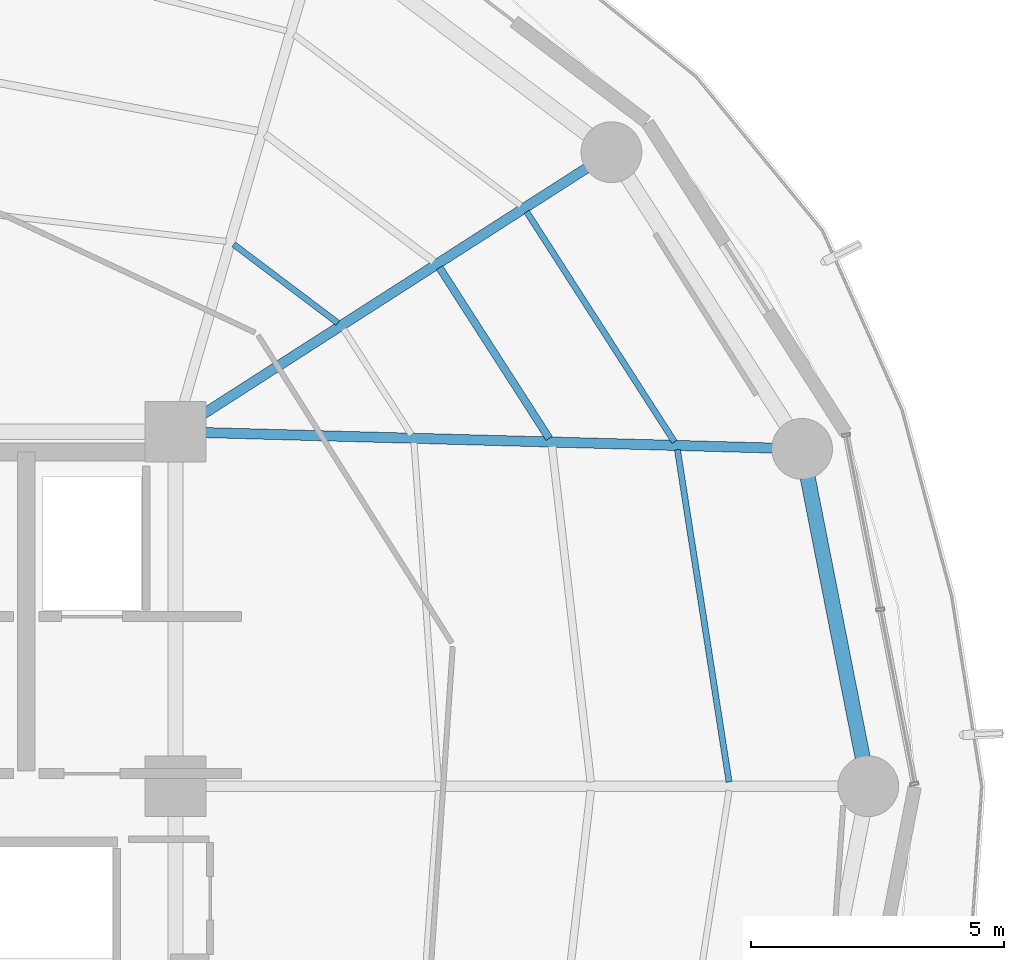
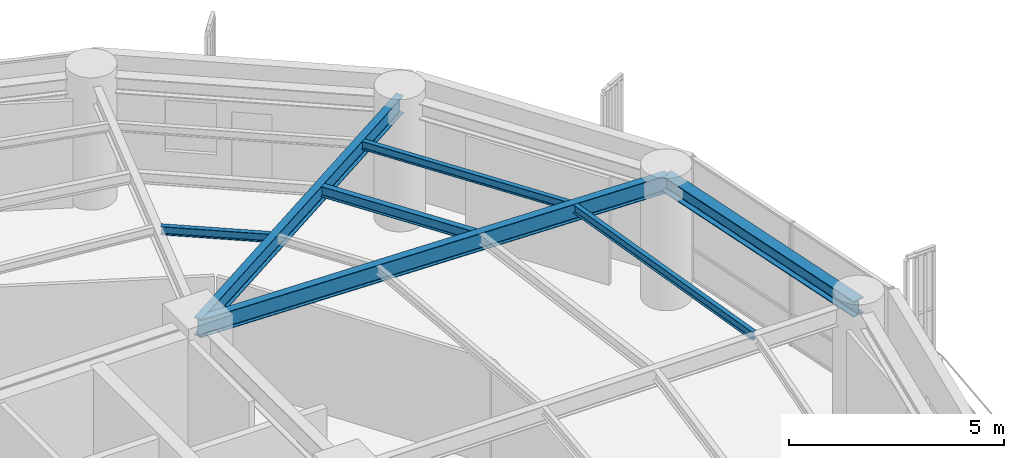
# One storey, part 14 of 28: 7 beams.
"""IFC4 building model written with IfcOpenShell, lengths in metres."""

from ifc_helpers import new_model, si_unit, direction, frame, origin, origin_2d, place, context, subcontext, project, spatial, i_section, extrude, material, material_profile, profile_set, type_object, element, save


model = new_model("IFC4")

# Units and contexts
model_context = context("Model", 3, precision=1e-05, world=origin(), true_north=direction((0.0, 1.0)))
body_context = subcontext(model_context, "Body", "Model", "MODEL_VIEW")
ifc_project = project(units=[si_unit("LENGTHUNIT", "METRE"), si_unit("AREAUNIT", "SQUARE_METRE"), si_unit("VOLUMEUNIT", "CUBIC_METRE"), si_unit("PLANEANGLEUNIT", "RADIAN"), si_unit("MASSUNIT", "GRAM", prefix="KILO")], contexts=[model_context])

# Site, building, storey
site_placement = place(None, origin())
site = spatial("IfcSite", under=ifc_project, at=site_placement, CompositionType="ELEMENT")
building_placement = place(site_placement, origin())
building = spatial("IfcBuilding", under=site, at=building_placement, Name="Kelanora Arch Commons", CompositionType="ELEMENT")
storey_placement = place(building_placement, frame((0.0, 0.0, 180.60009765625)))
storey = spatial("IfcBuildingStorey", under=building, at=storey_placement, Name="L46", CompositionType="ELEMENT", Elevation=180.60009765625)

# Beams
ifc_material = material(Name="Steel S355", Category="steel")
ifc_material_profile_1 = material_profile(ifc_material, i_section(OverallWidth=0.14990234375, OverallDepth=0.300048828125, WebThickness=0.007080078125, FlangeThickness=0.0107421875, FilletRadius=0.014892578125, at=origin_2d()), Name="IPE300")
ifc_profile_set_1 = profile_set([ifc_material_profile_1], Name="Steel S355")
beam_type_1 = type_object("IfcBeamType", Name="BM-JST-01", PredefinedType="JOIST", material=ifc_profile_set_1)
beam_1_placement = place(storey_placement, frame((89.377685546875, 64.869140625, 3.33984375), z_axis=(-0.540594434398, 0.841283339606, 0.0), x_axis=(-0.841283339606, -0.540594434398, 0.0)))
element("IfcBeam", 1, at=beam_1_placement, inside=storey, type_object=beam_type_1, Name="Secondary Chord Joist BJB-02 L46", PredefinedType="JOIST", context=body_context, shape_type="SweptSolid", body=[
    extrude(i_section(OverallWidth=0.14990234375, OverallDepth=0.300048828125, WebThickness=0.007080078125, FlangeThickness=0.0107421875, FilletRadius=0.014892578125, at=origin_2d()), origin(), (0.0, 0.0, 1.0), 4.008544921875),
])
ifc_material_profile_2 = material_profile(ifc_material, i_section(OverallWidth=0.1201171875, OverallDepth=0.239990234375, WebThickness=0.006103515625, FlangeThickness=0.009765625, FilletRadius=0.014892578125, at=origin_2d()), Name="IPE240")
ifc_profile_set_2 = profile_set([ifc_material_profile_2], Name="Steel S355")
beam_type_2 = type_object("IfcBeamType", Name="BM-JST-02", PredefinedType="JOIST", material=ifc_profile_set_2)
beam_2_placement = place(storey_placement, frame((92.930908203125, 58.083984375, 3.369873046875), z_axis=(-0.153562625853, 0.988138917329, 0.0), x_axis=(-0.988138917329, -0.153562625853, 0.0)))
element("IfcBeam", 2, at=beam_2_placement, inside=storey, type_object=beam_type_2, Name="Secondary Chord Joist BJC-00 L46", PredefinedType="JOIST", context=body_context, shape_type="SweptSolid", body=[
    extrude(i_section(OverallWidth=0.1201171875, OverallDepth=0.239990234375, WebThickness=0.006103515625, FlangeThickness=0.009765625, FilletRadius=0.014892578125, at=origin_2d()), origin(), (0.0, 0.0, 1.0), 6.640869140625),
])
beam_3_placement = place(storey_placement, frame((91.85205078125, 64.801513671875, 3.369873046875), z_axis=(-0.540581678156, 0.841291536414, 0.0), x_axis=(-0.841291536414, -0.540581678156, 0.0)))
element("IfcBeam", 3, at=beam_3_placement, inside=storey, type_object=beam_type_2, Name="Secondary Chord Joist BJC-02 L46", PredefinedType="JOIST", context=body_context, shape_type="SweptSolid", body=[
    extrude(i_section(OverallWidth=0.1201171875, OverallDepth=0.239990234375, WebThickness=0.006103515625, FlangeThickness=0.009765625, FilletRadius=0.014892578125, at=origin_2d()), origin(), (0.0, 0.0, 1.0), 5.4013671875),
])
beam_4_placement = place(storey_placement, frame((85.203125, 67.1494140625, 3.369873046875), z_axis=(-0.798484118859, 0.602015873487, 0.0), x_axis=(-0.602015873487, -0.798484118859, 0.0)))
element("IfcBeam", 4, at=beam_4_placement, inside=storey, type_object=beam_type_2, Name="Secondary Chord Joist BJA-04 L46", PredefinedType="JOIST", context=body_context, shape_type="SweptSolid", body=[
    extrude(i_section(OverallWidth=0.1201171875, OverallDepth=0.239990234375, WebThickness=0.006103515625, FlangeThickness=0.009765625, FilletRadius=0.014892578125, at=origin_2d()), origin(), (0.0, 0.0, 1.0), 2.57470703125),
])
ifc_material_profile_3 = material_profile(ifc_material, i_section(OverallWidth=0.199951171875, OverallDepth=0.5, WebThickness=0.01025390625, FlangeThickness=0.01611328125, FilletRadius=0.02099609375, at=origin_2d()), Name="IPE500")
ifc_profile_set_3 = profile_set([ifc_material_profile_3], Name="Steel S355")
beam_type_3 = type_object("IfcBeamType", Name="BM-RAD-Z3", PredefinedType="BEAM", material=ifc_profile_set_3)
beam_5_placement = place(storey_placement, frame((82.0, 65.0, 3.239990234375), z_axis=(0.999628374924, -0.027260081577, 0.0), x_axis=(0.027260081577, 0.999628374924, 0.0)))
element("IfcBeam", 5, at=beam_5_placement, inside=storey, type_object=beam_type_3, Name="Radial Floor Girder BR-02 L46", PredefinedType="BEAM", context=body_context, shape_type="SweptSolid", body=[
    extrude(i_section(OverallWidth=0.199951171875, OverallDepth=0.5, WebThickness=0.01025390625, FlangeThickness=0.01611328125, FilletRadius=0.02099609375, at=origin_2d()), origin(), (0.0, 0.0, 1.0), 12.377197265625),
])
beam_6_placement = place(storey_placement, frame((82.0, 65.0, 3.239990234375), z_axis=(0.841719465748, 0.539915123868, 0.0), x_axis=(-0.539915123868, 0.841719465748, 0.0)))
element("IfcBeam", 6, at=beam_6_placement, inside=storey, type_object=beam_type_3, Name="Radial Floor Girder BR-04 L46", PredefinedType="BEAM", context=body_context, shape_type="SweptSolid", body=[
    extrude(i_section(OverallWidth=0.199951171875, OverallDepth=0.5, WebThickness=0.01025390625, FlangeThickness=0.01611328125, FilletRadius=0.02099609375, at=origin_2d()), origin(), (0.0, 0.0, 1.0), 10.2265625),
])
ifc_material_profile_4 = material_profile(ifc_material, i_section(OverallWidth=0.300048828125, OverallDepth=0.449951171875, WebThickness=0.013916015625, FlangeThickness=0.02587890625, FilletRadius=0.027099609375, at=origin_2d()), Name="HEB450")
ifc_profile_set_4 = profile_set([ifc_material_profile_4], Name="Steel S355")
beam_type_4 = type_object("IfcBeamType", Name="BM-SPN-Z3", PredefinedType="SPANDREL", material=ifc_profile_set_4)
beam_7_placement = place(storey_placement, frame((95.679931640625, 58.0, 3.264892578125), z_axis=(-0.192553643556, 0.981286448675, 0.0), x_axis=(-0.981286448675, -0.192553643556, 0.0)))
element("IfcBeam", 7, at=beam_7_placement, inside=storey, type_object=beam_type_4, Name="Perimeter Spandrel Beam BS-00 L46", PredefinedType="SPANDREL", context=body_context, shape_type="SweptSolid", body=[
    extrude(i_section(OverallWidth=0.300048828125, OverallDepth=0.449951171875, WebThickness=0.013916015625, FlangeThickness=0.02587890625, FilletRadius=0.027099609375, at=origin_2d()), origin(), (0.0, 0.0, 1.0), 6.78955078125),
])

save(model, "model.ifc")
